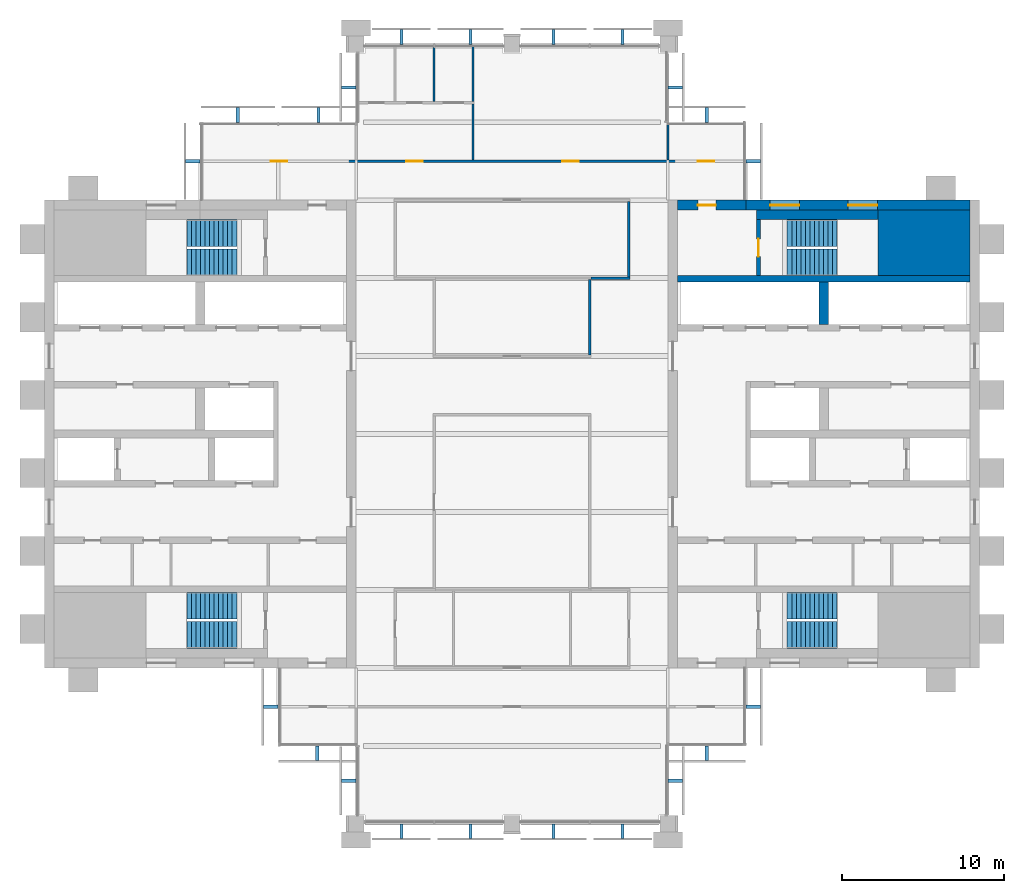
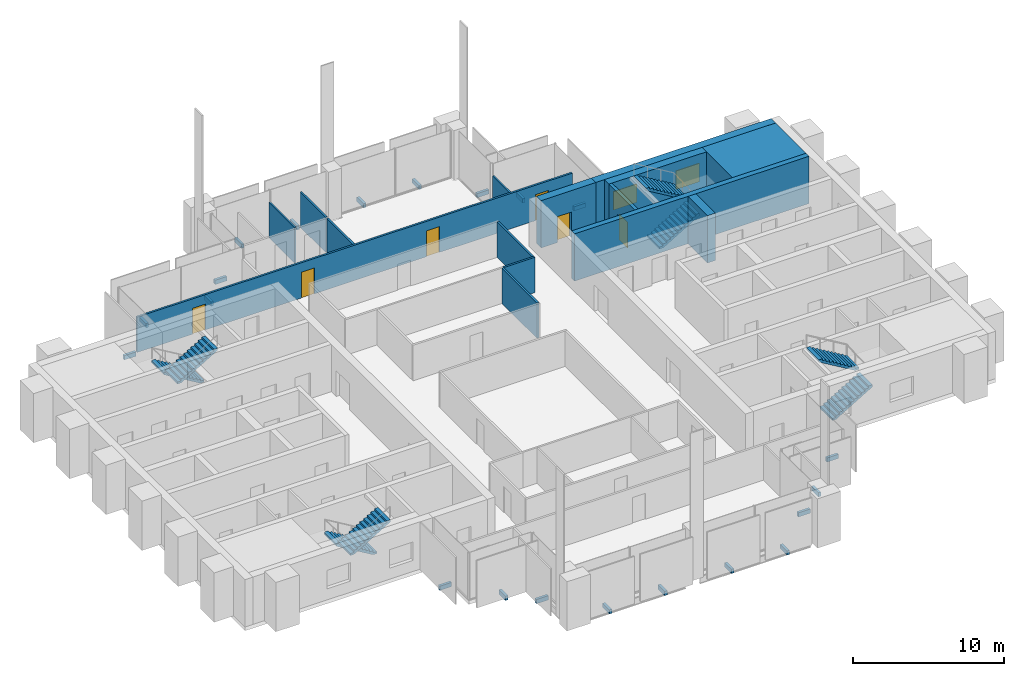
# One storey, part 11 of 12: 21 discrete accessories, 15 walls, 8 stair flights, 6 doors, 2 windows, 8 openings, 4 elements without a shape of their own.
"""IFC4 building model written with IfcOpenShell, lengths in metres."""

from ifc_helpers import new_model, si_unit, direction, frame, frame_2d, origin, origin_2d, place, context, subcontext, project, spatial, polyline, rectangle, outline, extrude, material, layer, layer_set, type_object, element, fill, aggregate, save


model = new_model("IFC4")

# Units and contexts
model_context = context("Model", 3, precision=1e-05, world=origin(), true_north=direction((0.0, 1.0)))
body_context = subcontext(model_context, "Body", "Model", "MODEL_VIEW")
ifc_project = project(units=[si_unit("LENGTHUNIT", "METRE"), si_unit("AREAUNIT", "SQUARE_METRE"), si_unit("VOLUMEUNIT", "CUBIC_METRE"), si_unit("PLANEANGLEUNIT", "RADIAN"), si_unit("MASSUNIT", "GRAM", prefix="KILO")], contexts=[model_context])

# Site, building, storey
site_placement = place(None, origin())
site = spatial("IfcSite", under=ifc_project, at=site_placement, CompositionType="ELEMENT")
building_placement = place(site_placement, origin())
building = spatial("IfcBuilding", under=site, at=building_placement, Name="Baori Bourse Tower", CompositionType="ELEMENT")
storey_placement = place(building_placement, frame((0.0, 0.0, 282.300048828125)))
storey = spatial("IfcBuildingStorey", under=building, at=storey_placement, Name="L61", CompositionType="ELEMENT", Elevation=282.300048828125)

# Wall
ifc_material_1 = material(Name="Concrete f'c 40 MPa", Category="concrete")
wall_type_1 = type_object("IfcWallType", Name="Core corner block f'c 40", PredefinedType="SHEAR", material=ifc_material_1)
wall_1_placement = place(storey_placement, frame((51.35009765625, 35.77490234375, 0.0), z_axis=(0.0, 0.0, 1.0), x_axis=(1.0, 0.0, 0.0)))
element("IfcWall", 1, at=wall_1_placement, inside=storey, type_object=wall_type_1, Name="Core wall E23", PredefinedType="SHEAR", context=body_context, shape_type="SweptSolid", body=[
    extrude(rectangle(XDim=5.64990234375, YDim=4.050048828125, at=frame_2d((2.824951171875, 0.0))), origin(), (0.0, 0.0, 1.0), 3.83984375),
])

# Wall, openings, windows
ifc_material_2 = material(Name="Concrete f'c 40 MPa", Category="concrete")
ifc_layer_1 = layer(ifc_material_2, 0.60009765625)
ifc_layer_set_1 = layer_set([ifc_layer_1], Name="Core wall 600 f'c 40")
wall_type_2 = type_object("IfcWallType", Name="Core wall 600 f'c 40", PredefinedType="SHEAR", material=ifc_layer_set_1)
wall_2_placement = place(storey_placement, frame((43.199951171875, 38.10009765625, 0.0), z_axis=(0.0, 0.0, 1.0), x_axis=(1.0, 0.0, 0.0)))
wall_2 = element("IfcWall", 2, at=wall_2_placement, inside=storey, type_object=wall_type_2, Name="Core wall E26", PredefinedType="SHEAR", context=body_context, shape_type="SweptSolid", body=[
    extrude(rectangle(XDim=13.800048828125, YDim=0.60009765625, at=frame_2d((6.89990234375, 0.0))), origin(), (0.0, 0.0, 1.0), 3.83984375),
])
opening_1_placement = place(wall_2_placement, frame((6.300048828125, 0.0, 0.89990234375)))
opening_1 = element("IfcOpeningElement", 3, at=opening_1_placement, cuts=wall_2, Name="Opening L61-KW205", PredefinedType="OPENING", context=body_context, shape_type="SweptSolid", body=[
    extrude(rectangle(XDim=1.800048828125, YDim=1.5, at=frame_2d((0.89990234375, 0.75))), frame((0.0, 0.31005859375, 0.0), z_axis=(0.0, -1.0, 0.0), x_axis=(1.0, 0.0, 0.0)), (0.0, 0.0, 1.0), 0.6201171875),
])
opening_2_placement = place(wall_2_placement, frame((1.5, 0.0, 0.89990234375)))
opening_2 = element("IfcOpeningElement", 4, at=opening_2_placement, cuts=wall_2, Name="Opening L61-KW206", PredefinedType="OPENING", context=body_context, shape_type="SweptSolid", body=[
    extrude(rectangle(XDim=1.800048828125, YDim=1.5, at=frame_2d((0.89990234375, 0.75))), frame((0.0, 0.31005859375, 0.0), z_axis=(0.0, -1.0, 0.0), x_axis=(1.0, 0.0, 0.0)), (0.0, 0.0, 1.0), 0.6201171875),
])
ifc_material_3 = material(Name="Pale anodised aluminium", Category="aluminium")
window_type = type_object("IfcWindowType", Name="Stair window 1800 x 1500", PartitioningType="SINGLE_PANEL", PredefinedType="WINDOW", material=ifc_material_3)
window_1_placement = place(opening_1_placement, origin())
window_1 = element("IfcWindow", 5, at=window_1_placement, inside=storey, type_object=window_type, Name="Stair window E L61 5", OverallHeight=1.5, OverallWidth=1.800048828125, PartitioningType="SINGLE_PANEL", PredefinedType="WINDOW", context=body_context, shape_type="SweptSolid", body=[
    extrude(rectangle(XDim=1.800048828125, YDim=1.5, at=frame_2d((0.89990234375, 0.75))), frame((0.0, 0.030029296875, 0.0), z_axis=(0.0, -1.0, 0.0), x_axis=(1.0, 0.0, 0.0)), (0.0, 0.0, 1.0), 0.06005859375),
])
fill(opening_1, window_1)
window_2_placement = place(opening_2_placement, origin())
window_2 = element("IfcWindow", 6, at=window_2_placement, inside=storey, type_object=window_type, Name="Stair window E L61 6", OverallHeight=1.5, OverallWidth=1.800048828125, PartitioningType="SINGLE_PANEL", PredefinedType="WINDOW", context=body_context, shape_type="SweptSolid", body=[
    extrude(rectangle(XDim=1.800048828125, YDim=1.5, at=frame_2d((0.89990234375, 0.75))), frame((0.0, 0.030029296875, 0.0), z_axis=(0.0, -1.0, 0.0), x_axis=(1.0, 0.0, 0.0)), (0.0, 0.0, 1.0), 0.06005859375),
])
fill(opening_2, window_2)

# Wall, opening, door
wall_3_placement = place(storey_placement, frame((39.0, 38.10009765625, 0.0), z_axis=(0.0, 0.0, 1.0), x_axis=(1.0, 0.0, 0.0)))
wall_3 = element("IfcWall", 7, at=wall_3_placement, inside=storey, type_object=wall_type_2, Name="Core wall E27", PredefinedType="SHEAR", context=body_context, shape_type="SweptSolid", body=[
    extrude(rectangle(XDim=4.199951171875, YDim=0.60009765625, at=frame_2d((2.10009765625, 0.0))), origin(), (0.0, 0.0, 1.0), 3.83984375),
])
opening_3_placement = place(wall_3_placement, frame((1.25, 0.0, 0.0)))
opening_3 = element("IfcOpeningElement", 8, at=opening_3_placement, cuts=wall_3, Name="Opening L61-D204", PredefinedType="OPENING", context=body_context, shape_type="SweptSolid", body=[
    extrude(rectangle(XDim=1.10009765625, YDim=2.10009765625, at=frame_2d((0.550048828125, 1.050048828125))), frame((0.0, 0.31005859375, 0.0), z_axis=(0.0, -1.0, 0.0), x_axis=(1.0, 0.0, 0.0)), (0.0, 0.0, 1.0), 0.6201171875),
])
ifc_material_4 = material(Name="Painted steel door", Category="steel")
door_type_1 = type_object("IfcDoorType", Name="Stair door 1100", OperationType="SINGLE_SWING_LEFT", PredefinedType="DOOR", material=ifc_material_4)
door_1_placement = place(opening_3_placement, origin())
door_1 = element("IfcDoor", 9, at=door_1_placement, inside=storey, type_object=door_type_1, Name="Stair vestibule door B E L61", OperationType="SINGLE_SWING_LEFT", OverallHeight=2.10009765625, OverallWidth=1.10009765625, PredefinedType="DOOR", context=body_context, shape_type="SweptSolid", body=[
    extrude(rectangle(XDim=1.10009765625, YDim=2.10009765625, at=frame_2d((0.550048828125, 1.050048828125))), frame((0.0, 0.02490234375, 0.0), z_axis=(0.0, -1.0, 0.0), x_axis=(1.0, 0.0, 0.0)), (0.0, 0.0, 1.0), 0.050048828125),
])
fill(opening_3, door_1)

# Wall
ifc_material_5 = material(Name="Gypsum board partition")
ifc_layer_2 = layer(ifc_material_5, 0.14990234375)
ifc_layer_set_2 = layer_set([ifc_layer_2], Name="Corridor partition 150")
wall_type_3 = type_object("IfcWallType", Name="Corridor partition 150", PredefinedType="PARTITIONING", material=ifc_layer_set_2)
wall_4_placement = place(storey_placement, frame((33.675048828125, 33.60009765625, 0.0), z_axis=(0.0, 0.0, 1.0), x_axis=(1.0, 0.0, 0.0)))
element("IfcWall", 10, at=wall_4_placement, inside=storey, type_object=wall_type_3, Name="Partition", PredefinedType="PARTITIONING", context=body_context, shape_type="SweptSolid", body=[
    extrude(rectangle(XDim=2.39990234375, YDim=0.14990234375, at=frame_2d((1.199951171875, 0.0))), origin(), (0.0, 0.0, 1.0), 2.86962890625),
])

# Wall, openings, doors
wall_5_placement = place(storey_placement, frame((9.699951171875, 40.800048828125, 0.0), z_axis=(0.0, 0.0, 1.0), x_axis=(1.0, 0.0, 0.0)))
wall_5 = element("IfcWall", 11, at=wall_5_placement, inside=storey, type_object=wall_type_3, Name="Partition", PredefinedType="PARTITIONING", context=body_context, shape_type="SweptSolid", body=[
    extrude(rectangle(XDim=33.400146484375, YDim=0.14990234375, at=frame_2d((16.7001953125, 0.0))), origin(), (0.0, 0.0, 1.0), 2.86962890625),
])
opening_4_placement = place(wall_5_placement, frame((4.25, 0.0, 0.0)))
opening_4 = element("IfcOpeningElement", 12, at=opening_4_placement, cuts=wall_5, Name="Opening L61-D07", PredefinedType="OPENING", context=body_context, shape_type="SweptSolid", body=[
    extrude(rectangle(XDim=1.0, YDim=2.10009765625, at=frame_2d((0.5, 1.050048828125))), frame((0.0, 0.0849609375, 0.0), z_axis=(0.0, -1.0, 0.0), x_axis=(1.0, 0.0, 0.0)), (0.0, 0.0, 1.0), 0.169921875),
])
opening_5_placement = place(wall_5_placement, frame((12.60009765625, 0.0, 0.0)))
opening_5 = element("IfcOpeningElement", 13, at=opening_5_placement, cuts=wall_5, Name="Opening L61-D08", PredefinedType="OPENING", context=body_context, shape_type="SweptSolid", body=[
    extrude(rectangle(XDim=1.0, YDim=2.10009765625, at=frame_2d((0.5, 1.050048828125))), frame((0.0, 0.0849609375, 0.0), z_axis=(0.0, -1.0, 0.0), x_axis=(1.0, 0.0, 0.0)), (0.0, 0.0, 1.0), 0.169921875),
])
opening_6_placement = place(wall_5_placement, frame((22.199951171875, 0.0, 0.0)))
opening_6 = element("IfcOpeningElement", 14, at=opening_6_placement, cuts=wall_5, Name="Opening L61-D09", PredefinedType="OPENING", context=body_context, shape_type="SweptSolid", body=[
    extrude(rectangle(XDim=1.0, YDim=2.10009765625, at=frame_2d((0.5, 1.050048828125))), frame((0.0, 0.0849609375, 0.0), z_axis=(0.0, -1.0, 0.0), x_axis=(1.0, 0.0, 0.0)), (0.0, 0.0, 1.0), 0.169921875),
])
opening_7_placement = place(wall_5_placement, frame((30.550048828125, 0.0, 0.0)))
opening_7 = element("IfcOpeningElement", 15, at=opening_7_placement, cuts=wall_5, Name="Opening L61-D10", PredefinedType="OPENING", context=body_context, shape_type="SweptSolid", body=[
    extrude(rectangle(XDim=1.0, YDim=2.10009765625, at=frame_2d((0.5, 1.050048828125))), frame((0.0, 0.0849609375, 0.0), z_axis=(0.0, -1.0, 0.0), x_axis=(1.0, 0.0, 0.0)), (0.0, 0.0, 1.0), 0.169921875),
])
ifc_material_6 = material(Name="Timber door leaf", Category="wood")
door_type_2 = type_object("IfcDoorType", Name="Door 1000 x 2100", OperationType="SINGLE_SWING_LEFT", PredefinedType="DOOR", material=ifc_material_6)
door_2_placement = place(opening_4_placement, origin())
door_2 = element("IfcDoor", 16, at=door_2_placement, inside=storey, type_object=door_type_2, Name="Door", OperationType="SINGLE_SWING_RIGHT", OverallHeight=2.10009765625, OverallWidth=1.0, PredefinedType="DOOR", context=body_context, shape_type="SweptSolid", body=[
    extrude(rectangle(XDim=1.0, YDim=2.10009765625, at=frame_2d((0.5, 1.050048828125))), frame((0.0, 0.02490234375, 0.0), z_axis=(0.0, -1.0, 0.0), x_axis=(1.0, 0.0, 0.0)), (0.0, 0.0, 1.0), 0.050048828125),
])
fill(opening_4, door_2)
door_3_placement = place(opening_5_placement, origin())
door_3 = element("IfcDoor", 17, at=door_3_placement, inside=storey, type_object=door_type_2, Name="Door", OperationType="SINGLE_SWING_LEFT", OverallHeight=2.10009765625, OverallWidth=1.0, PredefinedType="DOOR", context=body_context, shape_type="SweptSolid", body=[
    extrude(rectangle(XDim=1.0, YDim=2.10009765625, at=frame_2d((0.5, 1.050048828125))), frame((0.0, 0.02490234375, 0.0), z_axis=(0.0, -1.0, 0.0), x_axis=(1.0, 0.0, 0.0)), (0.0, 0.0, 1.0), 0.050048828125),
])
fill(opening_5, door_3)
door_4_placement = place(opening_6_placement, origin())
door_4 = element("IfcDoor", 18, at=door_4_placement, inside=storey, type_object=door_type_2, Name="Door", OperationType="SINGLE_SWING_LEFT", OverallHeight=2.10009765625, OverallWidth=1.0, PredefinedType="DOOR", context=body_context, shape_type="SweptSolid", body=[
    extrude(rectangle(XDim=1.0, YDim=2.10009765625, at=frame_2d((0.5, 1.050048828125))), frame((0.0, 0.02490234375, 0.0), z_axis=(0.0, -1.0, 0.0), x_axis=(1.0, 0.0, 0.0)), (0.0, 0.0, 1.0), 0.050048828125),
])
fill(opening_6, door_4)
door_5_placement = place(opening_7_placement, origin())
door_5 = element("IfcDoor", 19, at=door_5_placement, inside=storey, type_object=door_type_2, Name="Door", OperationType="SINGLE_SWING_LEFT", OverallHeight=2.10009765625, OverallWidth=1.0, PredefinedType="DOOR", context=body_context, shape_type="SweptSolid", body=[
    extrude(rectangle(XDim=1.0, YDim=2.10009765625, at=frame_2d((0.5, 1.050048828125))), frame((0.0, 0.02490234375, 0.0), z_axis=(0.0, -1.0, 0.0), x_axis=(1.0, 0.0, 0.0)), (0.0, 0.0, 1.0), 0.050048828125),
])
fill(opening_7, door_5)

# Walls
wall_6_placement = place(storey_placement, frame((26.39990234375, 40.875, 0.0), z_axis=(0.0, 0.0, 1.0), x_axis=(0.0, 1.0, 0.0)))
element("IfcWall", 20, at=wall_6_placement, inside=storey, type_object=wall_type_3, Name="Partition", PredefinedType="PARTITIONING", context=body_context, shape_type="SweptSolid", body=[
    extrude(rectangle(XDim=3.449951171875, YDim=0.14990234375, at=frame_2d((1.72509765625, 0.0))), origin(), (0.0, 0.0, 1.0), 2.86962890625),
])
for number, where, z_axis, x_axis, name in (
    (21, (33.60009765625, 28.875, 0.0), (0.0, 0.0, 1.0), (0.0, 1.0, 0.0), "Partition"),
    (22, (36.0, 33.675048828125, 0.0), (0.0, 0.0, 1.0), (0.0, 1.0, 0.0), "Partition"),
):
    element("IfcWall", number, at=place(storey_placement, frame(where, z_axis=z_axis, x_axis=x_axis)), inside=storey, type_object=wall_type_3, Name=name, PredefinedType="PARTITIONING", context=body_context, shape_type="SweptSolid", body=[
        extrude(rectangle(XDim=4.64990234375, YDim=0.14990234375, at=frame_2d((2.324951171875, 0.0))), origin(), (0.0, 0.0, 1.0), 2.86962890625),
    ])
ifc_material_7 = material(Name="Gypsum board partition")
ifc_layer_3 = layer(ifc_material_7, 0.125)
ifc_layer_set_3 = layer_set([ifc_layer_3], Name="Partition 125")
wall_type_4 = type_object("IfcWallType", Name="Partition 125", PredefinedType="PARTITIONING", material=ifc_layer_set_3)
for number, where, z_axis, x_axis, name in (
    (23, (24.0, 44.47509765625, 0.0), (0.0, 0.0, 1.0), (0.0, 1.0, 0.0), "Partition"),
    (24, (26.39990234375, 44.47509765625, 0.0), (0.0, 0.0, 1.0), (0.0, 1.0, 0.0), "Partition"),
):
    element("IfcWall", number, at=place(storey_placement, frame(where, z_axis=z_axis, x_axis=x_axis)), inside=storey, type_object=wall_type_4, Name=name, PredefinedType="PARTITIONING", context=body_context, shape_type="SweptSolid", body=[
        extrude(rectangle(XDim=3.4248046875, YDim=0.125, at=frame_2d((1.71240234375, 0.0))), origin(), (0.0, 0.0, 1.0), 2.86962890625),
    ])
wall_7_placement = place(storey_placement, frame((38.39990234375, 40.875, 0.0), z_axis=(0.0, 0.0, 1.0), x_axis=(0.0, 1.0, 0.0)))
element("IfcWall", 25, at=wall_7_placement, inside=storey, type_object=wall_type_4, Name="Partition", PredefinedType="PARTITIONING", context=body_context, shape_type="SweptSolid", body=[
    extrude(rectangle(XDim=2.22509765625, YDim=0.125, at=frame_2d((1.112548828125, 0.0))), origin(), (0.0, 0.0, 1.0), 2.86962890625),
])

# Wall, opening, door
ifc_material_8 = material(Name="Concrete f'c 40 MPa", Category="concrete")
ifc_layer_4 = layer(ifc_material_8, 0.25)
ifc_layer_set_4 = layer_set([ifc_layer_4], Name="Shaft wall 250 f'c 40")
wall_type_5 = type_object("IfcWallType", Name="Shaft wall 250 f'c 40", PredefinedType="SHEAR", material=ifc_layer_set_4)
wall_8_placement = place(storey_placement, frame((43.97509765625, 33.75, 0.0), z_axis=(0.0, 0.0, 1.0), x_axis=(0.0, 1.0, 0.0)))
wall_8 = element("IfcWall", 26, at=wall_8_placement, inside=storey, type_object=wall_type_5, Name="Core wall E24", PredefinedType="SHEAR", context=body_context, shape_type="SweptSolid", body=[
    extrude(rectangle(XDim=3.449951171875, YDim=0.25, at=frame_2d((1.72509765625, 0.0))), origin(), (0.0, 0.0, 1.0), 3.83984375),
])
opening_8_placement = place(wall_8_placement, frame((1.175048828125, 0.0, 0.0)))
opening_8 = element("IfcOpeningElement", 27, at=opening_8_placement, cuts=wall_8, Name="Opening L61-D203", PredefinedType="OPENING", context=body_context, shape_type="SweptSolid", body=[
    extrude(rectangle(XDim=1.10009765625, YDim=2.10009765625, at=frame_2d((0.550048828125, 1.050048828125))), frame((0.0, 0.135009765625, 0.0), z_axis=(0.0, -1.0, 0.0), x_axis=(1.0, 0.0, 0.0)), (0.0, 0.0, 1.0), 0.27001953125),
])
door_6_placement = place(opening_8_placement, origin())
door_6 = element("IfcDoor", 28, at=door_6_placement, inside=storey, type_object=door_type_1, Name="Stair door B E L61", OperationType="SINGLE_SWING_LEFT", OverallHeight=2.10009765625, OverallWidth=1.10009765625, PredefinedType="DOOR", context=body_context, shape_type="SweptSolid", body=[
    extrude(rectangle(XDim=1.10009765625, YDim=2.10009765625, at=frame_2d((0.550048828125, 1.050048828125))), frame((0.0, 0.02490234375, 0.0), z_axis=(0.0, -1.0, 0.0), x_axis=(1.0, 0.0, 0.0)), (0.0, 0.0, 1.0), 0.050048828125),
])
fill(opening_8, door_6)

# Walls
ifc_material_9 = material(Name="Concrete f'c 40 MPa", Category="concrete")
ifc_layer_5 = layer(ifc_material_9, 0.39990234375)
ifc_layer_set_5 = layer_set([ifc_layer_5], Name="Shaft wall 400 f'c 40")
wall_type_6 = type_object("IfcWallType", Name="Shaft wall 400 f'c 40", PredefinedType="SHEAR", material=ifc_layer_set_5)
wall_9_placement = place(storey_placement, frame((39.0, 33.550048828125, 0.0), z_axis=(0.0, 0.0, 1.0), x_axis=(1.0, 0.0, 0.0)))
element("IfcWall", 29, at=wall_9_placement, inside=storey, type_object=wall_type_6, Name="Core wall E22", PredefinedType="SHEAR", context=body_context, shape_type="SweptSolid", body=[
    extrude(rectangle(XDim=18.0, YDim=0.39990234375, at=frame_2d((9.0, 0.0))), origin(), (0.0, 0.0, 1.0), 3.83984375),
])
ifc_material_10 = material(Name="Concrete f'c 40 MPa", Category="concrete")
ifc_layer_6 = layer(ifc_material_10, 0.60009765625)
ifc_layer_set_6 = layer_set([ifc_layer_6], Name="Shaft wall 600 f'c 40")
wall_type_7 = type_object("IfcWallType", Name="Shaft wall 600 f'c 40", PredefinedType="SHEAR", material=ifc_layer_set_6)
wall_10_placement = place(storey_placement, frame((48.0, 30.75, 0.0), z_axis=(0.0, 0.0, 1.0), x_axis=(0.0, 1.0, 0.0)))
element("IfcWall", 30, at=wall_10_placement, inside=storey, type_object=wall_type_7, Name="Core wall E21", PredefinedType="SHEAR", context=body_context, shape_type="SweptSolid", body=[
    extrude(rectangle(XDim=2.60009765625, YDim=0.60009765625, at=frame_2d((1.300048828125, 0.0))), origin(), (0.0, 0.0, 1.0), 3.83984375),
])
wall_11_placement = place(storey_placement, frame((43.85009765625, 37.5, 0.0), z_axis=(0.0, 0.0, 1.0), x_axis=(1.0, 0.0, 0.0)))
element("IfcWall", 31, at=wall_11_placement, inside=storey, type_object=wall_type_7, Name="Core wall E25", PredefinedType="SHEAR", context=body_context, shape_type="SweptSolid", body=[
    extrude(rectangle(XDim=7.5, YDim=0.60009765625, at=frame_2d((3.75, 0.0))), origin(), (0.0, 0.0, 1.0), 3.83984375),
])

# Stair, stair flights
ifc_material_11 = material(Name="Concrete f'c 50 MPa", Category="concrete")
stair_type = type_object("IfcStairType", Name="Core stair", PredefinedType="HALF_TURN_STAIR", material=ifc_material_11)
stair_1_placement = place(storey_placement, origin())
stair_1 = element("IfcStair", 32, at=stair_1_placement, inside=storey, type_object=stair_type, Name="L61 Stair WA", PredefinedType="HALF_TURN_STAIR")
ifc_material_12 = material(Name="Concrete f'c 50 MPa", Category="concrete")
stair_flight_type = type_object("IfcStairFlightType", Name="Core stair flight", PredefinedType="STRAIGHT", material=ifc_material_12)
stair_flight_1_placement = place(storey_placement, frame((11.85009765625, 13.425048828125, 0.0), z_axis=(0.0, 0.0, 1.0), x_axis=(-1.0, 0.0, 0.0)))
stair_flight_1 = element("IfcStairFlight", 33, at=stair_flight_1_placement, type_object=stair_flight_type, Name="ST1 flight 1", NumberOfRisers=12, NumberOfTreads=11, PredefinedType="STRAIGHT", RiserHeight=0.166666667, TreadLength=0.28, context=body_context, shape_type="SweptSolid", body=[
    extrude(outline(polyline([(0.0, 0.0), (0.0, 0.166748046875), (0.280029296875, 0.166748046875), (0.280029296875, 0.333251953125), (0.56005859375, 0.333251953125), (0.56005859375, 0.5), (0.840087890625, 0.5), (0.840087890625, 0.666748046875), (1.1201171875, 0.666748046875), (1.1201171875, 0.833251953125), (1.39990234375, 0.833251953125), (1.39990234375, 1.0), (1.679931640625, 1.0), (1.679931640625, 1.166748046875), (1.9599609375, 1.166748046875), (1.9599609375, 1.333251953125), (2.239990234375, 1.333251953125), (2.239990234375, 1.5), (2.52001953125, 1.5), (2.52001953125, 1.666748046875), (2.800048828125, 1.666748046875), (2.800048828125, 1.833251953125), (3.080078125, 1.833251953125), (3.080078125, 2.0), (3.080078125, 1.658935546875), (0.29296875, 0.0), (0.0, 0.0)])), frame((0.0, 0.824951171875, 0.0), z_axis=(0.0, -1.0, 0.0), x_axis=(1.0, 0.0, 0.0)), (0.0, 0.0, 1.0), 1.64990234375),
])
stair_flight_2_placement = place(storey_placement, frame((8.77001953125, 11.625, 2.0), z_axis=(0.0, 0.0, 1.0), x_axis=(1.0, 0.0, 0.0)))
stair_flight_2 = element("IfcStairFlight", 34, at=stair_flight_2_placement, type_object=stair_flight_type, Name="ST1 flight 2", NumberOfRisers=12, NumberOfTreads=11, PredefinedType="STRAIGHT", RiserHeight=0.166666667, TreadLength=0.28, context=body_context, shape_type="SweptSolid", body=[
    extrude(outline(polyline([(0.0, 0.0), (0.0, 0.166748046875), (0.280029296875, 0.166748046875), (0.280029296875, 0.333251953125), (0.56005859375, 0.333251953125), (0.56005859375, 0.5), (0.840087890625, 0.5), (0.840087890625, 0.666748046875), (1.1201171875, 0.666748046875), (1.1201171875, 0.833251953125), (1.39990234375, 0.833251953125), (1.39990234375, 1.0), (1.679931640625, 1.0), (1.679931640625, 1.166748046875), (1.9599609375, 1.166748046875), (1.9599609375, 1.333251953125), (2.239990234375, 1.333251953125), (2.239990234375, 1.5), (2.52001953125, 1.5), (2.52001953125, 1.666748046875), (2.800048828125, 1.666748046875), (2.800048828125, 1.833251953125), (3.080078125, 1.833251953125), (3.080078125, 2.0), (3.080078125, 1.658935546875), (0.29296875, 0.0), (0.0, 0.0)])), frame((0.0, 0.824951171875, 0.0), z_axis=(0.0, -1.0, 0.0), x_axis=(1.0, 0.0, 0.0)), (0.0, 0.0, 1.0), 1.64990234375),
])
aggregate(stair_1, [stair_flight_1, stair_flight_2])

stair_2_placement = place(storey_placement, origin())
stair_2 = element("IfcStair", 35, at=stair_2_placement, inside=storey, type_object=stair_type, Name="L61 Stair WB", PredefinedType="HALF_TURN_STAIR")
stair_flight_3_placement = place(storey_placement, frame((11.85009765625, 36.375, 0.0), z_axis=(0.0, 0.0, 1.0), x_axis=(-1.0, 0.0, 0.0)))
stair_flight_3 = element("IfcStairFlight", 36, at=stair_flight_3_placement, type_object=stair_flight_type, Name="ST2 flight 1", NumberOfRisers=12, NumberOfTreads=11, PredefinedType="STRAIGHT", RiserHeight=0.166666667, TreadLength=0.28, context=body_context, shape_type="SweptSolid", body=[
    extrude(outline(polyline([(0.0, 0.0), (0.0, 0.166748046875), (0.280029296875, 0.166748046875), (0.280029296875, 0.333251953125), (0.56005859375, 0.333251953125), (0.56005859375, 0.5), (0.840087890625, 0.5), (0.840087890625, 0.666748046875), (1.1201171875, 0.666748046875), (1.1201171875, 0.833251953125), (1.39990234375, 0.833251953125), (1.39990234375, 1.0), (1.679931640625, 1.0), (1.679931640625, 1.166748046875), (1.9599609375, 1.166748046875), (1.9599609375, 1.333251953125), (2.239990234375, 1.333251953125), (2.239990234375, 1.5), (2.52001953125, 1.5), (2.52001953125, 1.666748046875), (2.800048828125, 1.666748046875), (2.800048828125, 1.833251953125), (3.080078125, 1.833251953125), (3.080078125, 2.0), (3.080078125, 1.658935546875), (0.29296875, 0.0), (0.0, 0.0)])), frame((0.0, 0.824951171875, 0.0), z_axis=(0.0, -1.0, 0.0), x_axis=(1.0, 0.0, 0.0)), (0.0, 0.0, 1.0), 1.64990234375),
])
stair_flight_4_placement = place(storey_placement, frame((8.77001953125, 34.574951171875, 2.0), z_axis=(0.0, 0.0, 1.0), x_axis=(1.0, 0.0, 0.0)))
stair_flight_4 = element("IfcStairFlight", 37, at=stair_flight_4_placement, type_object=stair_flight_type, Name="ST2 flight 2", NumberOfRisers=12, NumberOfTreads=11, PredefinedType="STRAIGHT", RiserHeight=0.166666667, TreadLength=0.28, context=body_context, shape_type="SweptSolid", body=[
    extrude(outline(polyline([(0.0, 0.0), (0.0, 0.166748046875), (0.280029296875, 0.166748046875), (0.280029296875, 0.333251953125), (0.56005859375, 0.333251953125), (0.56005859375, 0.5), (0.840087890625, 0.5), (0.840087890625, 0.666748046875), (1.1201171875, 0.666748046875), (1.1201171875, 0.833251953125), (1.39990234375, 0.833251953125), (1.39990234375, 1.0), (1.679931640625, 1.0), (1.679931640625, 1.166748046875), (1.9599609375, 1.166748046875), (1.9599609375, 1.333251953125), (2.239990234375, 1.333251953125), (2.239990234375, 1.5), (2.52001953125, 1.5), (2.52001953125, 1.666748046875), (2.800048828125, 1.666748046875), (2.800048828125, 1.833251953125), (3.080078125, 1.833251953125), (3.080078125, 2.0), (3.080078125, 1.658935546875), (0.29296875, 0.0), (0.0, 0.0)])), frame((0.0, 0.824951171875, 0.0), z_axis=(0.0, -1.0, 0.0), x_axis=(1.0, 0.0, 0.0)), (0.0, 0.0, 1.0), 1.64990234375),
])
aggregate(stair_2, [stair_flight_3, stair_flight_4])

stair_3_placement = place(storey_placement, origin())
stair_3 = element("IfcStair", 38, at=stair_3_placement, inside=storey, type_object=stair_type, Name="L61 Stair EA", PredefinedType="HALF_TURN_STAIR")
stair_flight_5_placement = place(storey_placement, frame((45.75, 11.625, 0.0), z_axis=(0.0, 0.0, 1.0), x_axis=(1.0, 0.0, 0.0)))
stair_flight_5 = element("IfcStairFlight", 39, at=stair_flight_5_placement, type_object=stair_flight_type, Name="ST3 flight 1", NumberOfRisers=12, NumberOfTreads=11, PredefinedType="STRAIGHT", RiserHeight=0.166666667, TreadLength=0.28, context=body_context, shape_type="SweptSolid", body=[
    extrude(outline(polyline([(0.0, 0.0), (0.0, 0.166748046875), (0.280029296875, 0.166748046875), (0.280029296875, 0.333251953125), (0.56005859375, 0.333251953125), (0.56005859375, 0.5), (0.840087890625, 0.5), (0.840087890625, 0.666748046875), (1.1201171875, 0.666748046875), (1.1201171875, 0.833251953125), (1.39990234375, 0.833251953125), (1.39990234375, 1.0), (1.679931640625, 1.0), (1.679931640625, 1.166748046875), (1.9599609375, 1.166748046875), (1.9599609375, 1.333251953125), (2.239990234375, 1.333251953125), (2.239990234375, 1.5), (2.52001953125, 1.5), (2.52001953125, 1.666748046875), (2.800048828125, 1.666748046875), (2.800048828125, 1.833251953125), (3.080078125, 1.833251953125), (3.080078125, 2.0), (3.080078125, 1.658935546875), (0.29296875, 0.0), (0.0, 0.0)])), frame((0.0, 0.824951171875, 0.0), z_axis=(0.0, -1.0, 0.0), x_axis=(1.0, 0.0, 0.0)), (0.0, 0.0, 1.0), 1.64990234375),
])
stair_flight_6_placement = place(storey_placement, frame((48.830078125, 13.425048828125, 2.0), z_axis=(0.0, 0.0, 1.0), x_axis=(-1.0, 0.0, 0.0)))
stair_flight_6 = element("IfcStairFlight", 40, at=stair_flight_6_placement, type_object=stair_flight_type, Name="ST3 flight 2", NumberOfRisers=12, NumberOfTreads=11, PredefinedType="STRAIGHT", RiserHeight=0.166666667, TreadLength=0.28, context=body_context, shape_type="SweptSolid", body=[
    extrude(outline(polyline([(0.0, 0.0), (0.0, 0.166748046875), (0.280029296875, 0.166748046875), (0.280029296875, 0.333251953125), (0.56005859375, 0.333251953125), (0.56005859375, 0.5), (0.840087890625, 0.5), (0.840087890625, 0.666748046875), (1.1201171875, 0.666748046875), (1.1201171875, 0.833251953125), (1.39990234375, 0.833251953125), (1.39990234375, 1.0), (1.679931640625, 1.0), (1.679931640625, 1.166748046875), (1.9599609375, 1.166748046875), (1.9599609375, 1.333251953125), (2.239990234375, 1.333251953125), (2.239990234375, 1.5), (2.52001953125, 1.5), (2.52001953125, 1.666748046875), (2.800048828125, 1.666748046875), (2.800048828125, 1.833251953125), (3.080078125, 1.833251953125), (3.080078125, 2.0), (3.080078125, 1.658935546875), (0.29296875, 0.0), (0.0, 0.0)])), frame((0.0, 0.824951171875, 0.0), z_axis=(0.0, -1.0, 0.0), x_axis=(1.0, 0.0, 0.0)), (0.0, 0.0, 1.0), 1.64990234375),
])
aggregate(stair_3, [stair_flight_5, stair_flight_6])

stair_4_placement = place(storey_placement, origin())
stair_4 = element("IfcStair", 41, at=stair_4_placement, inside=storey, type_object=stair_type, Name="L61 Stair EB", PredefinedType="HALF_TURN_STAIR")
stair_flight_7_placement = place(storey_placement, frame((45.75, 34.574951171875, 0.0), z_axis=(0.0, 0.0, 1.0), x_axis=(1.0, 0.0, 0.0)))
stair_flight_7 = element("IfcStairFlight", 42, at=stair_flight_7_placement, type_object=stair_flight_type, Name="ST4 flight 1", NumberOfRisers=12, NumberOfTreads=11, PredefinedType="STRAIGHT", RiserHeight=0.166666667, TreadLength=0.28, context=body_context, shape_type="SweptSolid", body=[
    extrude(outline(polyline([(0.0, 0.0), (0.0, 0.166748046875), (0.280029296875, 0.166748046875), (0.280029296875, 0.333251953125), (0.56005859375, 0.333251953125), (0.56005859375, 0.5), (0.840087890625, 0.5), (0.840087890625, 0.666748046875), (1.1201171875, 0.666748046875), (1.1201171875, 0.833251953125), (1.39990234375, 0.833251953125), (1.39990234375, 1.0), (1.679931640625, 1.0), (1.679931640625, 1.166748046875), (1.9599609375, 1.166748046875), (1.9599609375, 1.333251953125), (2.239990234375, 1.333251953125), (2.239990234375, 1.5), (2.52001953125, 1.5), (2.52001953125, 1.666748046875), (2.800048828125, 1.666748046875), (2.800048828125, 1.833251953125), (3.080078125, 1.833251953125), (3.080078125, 2.0), (3.080078125, 1.658935546875), (0.29296875, 0.0), (0.0, 0.0)])), frame((0.0, 0.824951171875, 0.0), z_axis=(0.0, -1.0, 0.0), x_axis=(1.0, 0.0, 0.0)), (0.0, 0.0, 1.0), 1.64990234375),
])
stair_flight_8_placement = place(storey_placement, frame((48.830078125, 36.375, 2.0), z_axis=(0.0, 0.0, 1.0), x_axis=(-1.0, 0.0, 0.0)))
stair_flight_8 = element("IfcStairFlight", 43, at=stair_flight_8_placement, type_object=stair_flight_type, Name="ST4 flight 2", NumberOfRisers=12, NumberOfTreads=11, PredefinedType="STRAIGHT", RiserHeight=0.166666667, TreadLength=0.28, context=body_context, shape_type="SweptSolid", body=[
    extrude(outline(polyline([(0.0, 0.0), (0.0, 0.166748046875), (0.280029296875, 0.166748046875), (0.280029296875, 0.333251953125), (0.56005859375, 0.333251953125), (0.56005859375, 0.5), (0.840087890625, 0.5), (0.840087890625, 0.666748046875), (1.1201171875, 0.666748046875), (1.1201171875, 0.833251953125), (1.39990234375, 0.833251953125), (1.39990234375, 1.0), (1.679931640625, 1.0), (1.679931640625, 1.166748046875), (1.9599609375, 1.166748046875), (1.9599609375, 1.333251953125), (2.239990234375, 1.333251953125), (2.239990234375, 1.5), (2.52001953125, 1.5), (2.52001953125, 1.666748046875), (2.800048828125, 1.666748046875), (2.800048828125, 1.833251953125), (3.080078125, 1.833251953125), (3.080078125, 2.0), (3.080078125, 1.658935546875), (0.29296875, 0.0), (0.0, 0.0)])), frame((0.0, 0.824951171875, 0.0), z_axis=(0.0, -1.0, 0.0), x_axis=(1.0, 0.0, 0.0)), (0.0, 0.0, 1.0), 1.64990234375),
])
aggregate(stair_4, [stair_flight_7, stair_flight_8])

# Discrete accessories
ifc_material_13 = material(Name="Pale anodised aluminium", Category="aluminium")
discrete_accessory_type = type_object("IfcDiscreteAccessoryType", Name="OS2 Outer skin bracket", PredefinedType="BRACKET", material=ifc_material_13)
for number, where, z_axis, x_axis, name in (
    (44, (43.64990234375, 40.800048828125, -0.240234375), (0.0, 0.0, 1.0), (0.0, 1.0, 0.0), "Outer skin bracket L61 1"),
    (45, (40.800048828125, 43.64990234375, -0.240234375), (0.0, 0.0, 1.0), (-1.0, 0.0, 0.0), "Outer skin bracket L61 2"),
    (46, (38.85009765625, 45.35009765625, -0.240234375), (0.0, 0.0, 1.0), (0.0, 1.0, 0.0), "Outer skin bracket L61 3"),
    (47, (35.612548828125, 48.449951171875, -0.240234375), (0.0, 0.0, 1.0), (-1.0, 0.0, 0.0), "Outer skin bracket L61 4"),
    (48, (31.362548828125, 48.449951171875, -0.240234375), (0.0, 0.0, 1.0), (-1.0, 0.0, 0.0), "Outer skin bracket L61 5"),
    (49, (26.237548828125, 48.449951171875, -0.240234375), (0.0, 0.0, 1.0), (-1.0, 0.0, 0.0), "Outer skin bracket L61 6"),
    (50, (21.987548828125, 48.449951171875, -0.240234375), (0.0, 0.0, 1.0), (-1.0, 0.0, 0.0), "Outer skin bracket L61 7"),
    (51, (18.75, 45.35009765625, -0.240234375), (0.0, 0.0, 1.0), (0.0, -1.0, 0.0), "Outer skin bracket L61 8"),
    (52, (16.887451171875, 43.64990234375, -0.240234375), (0.0, 0.0, 1.0), (-1.0, 0.0, 0.0), "Outer skin bracket L61 9"),
    (53, (11.91259765625, 43.64990234375, -0.240234375), (0.0, 0.0, 1.0), (-1.0, 0.0, 0.0), "Outer skin bracket L61 10"),
    (54, (9.14990234375, 40.800048828125, -0.240234375), (0.0, 0.0, 1.0), (0.0, -1.0, 0.0), "Outer skin bracket L61 11"),
    (55, (13.949951171875, 7.199951171875, -0.240234375), (0.0, 0.0, 1.0), (0.0, -1.0, 0.0), "Outer skin bracket L61 12"),
    (56, (16.800048828125, 4.35009765625, -0.240234375), (0.0, 0.0, 1.0), (1.0, 0.0, 0.0), "Outer skin bracket L61 13"),
    (57, (18.75, 2.64990234375, -0.240234375), (0.0, 0.0, 1.0), (0.0, -1.0, 0.0), "Outer skin bracket L61 14"),
    (58, (21.987548828125, -0.449951171875, -0.240234375), (0.0, 0.0, 1.0), (1.0, 0.0, 0.0), "Outer skin bracket L61 15"),
    (59, (26.237548828125, -0.449951171875, -0.240234375), (0.0, 0.0, 1.0), (1.0, 0.0, 0.0), "Outer skin bracket L61 16"),
    (60, (31.362548828125, -0.449951171875, -0.240234375), (0.0, 0.0, 1.0), (1.0, 0.0, 0.0), "Outer skin bracket L61 17"),
    (61, (35.612548828125, -0.449951171875, -0.240234375), (0.0, 0.0, 1.0), (1.0, 0.0, 0.0), "Outer skin bracket L61 18"),
    (62, (38.85009765625, 2.64990234375, -0.240234375), (0.0, 0.0, 1.0), (0.0, 1.0, 0.0), "Outer skin bracket L61 19"),
    (63, (40.800048828125, 4.35009765625, -0.240234375), (0.0, 0.0, 1.0), (1.0, 0.0, 0.0), "Outer skin bracket L61 20"),
    (64, (43.64990234375, 7.199951171875, -0.240234375), (0.0, 0.0, 1.0), (0.0, 1.0, 0.0), "Outer skin bracket L61 21"),
):
    element("IfcDiscreteAccessory", number, at=place(storey_placement, frame(where, z_axis=z_axis, x_axis=x_axis)), inside=storey, type_object=discrete_accessory_type, Name=name, PredefinedType="BRACKET", context=body_context, shape_type="SweptSolid", body=[
        extrude(rectangle(XDim=0.199951171875, YDim=0.89990234375, at=origin_2d()), origin(), (0.0, 0.0, 1.0), 0.340087890625),
    ])

save(model, "model.ifc")
